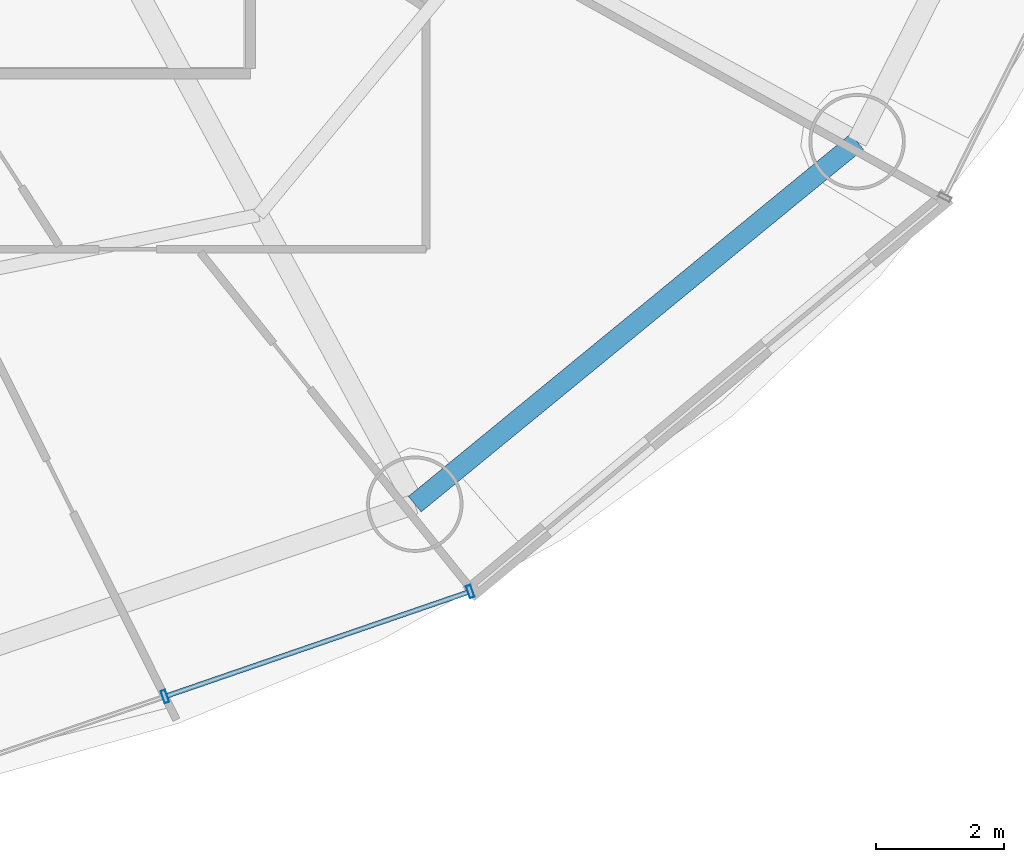
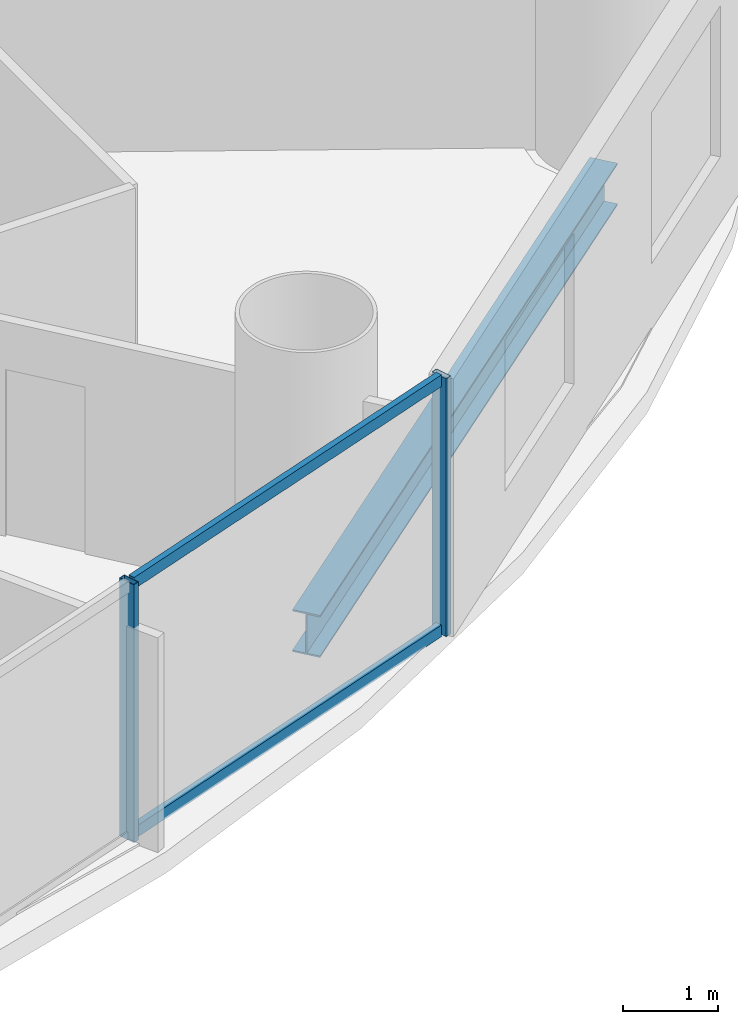
# One storey, part 11 of 29: 4 members, 1 beam, 1 element without a shape of its own.
"""IFC4 building model written with IfcOpenShell, lengths in metres."""

from ifc_helpers import new_model, si_unit, direction, frame, origin, origin_2d, place, context, subcontext, project, spatial, hollow_rectangle, i_section, extrude, source, transform, mapped, material, material_profile, profile_set, type_object, element, aggregate, save


model = new_model("IFC4")

# Units and contexts
model_context = context("Model", 3, precision=1e-05, world=origin(), true_north=direction((-0.2419218956, 0.970295726276)))
body_context = subcontext(model_context, "Body", "Model", "MODEL_VIEW")
ifc_project = project(units=[si_unit("LENGTHUNIT", "METRE"), si_unit("AREAUNIT", "SQUARE_METRE"), si_unit("VOLUMEUNIT", "CUBIC_METRE"), si_unit("PLANEANGLEUNIT", "RADIAN"), si_unit("MASSUNIT", "GRAM", prefix="KILO")], contexts=[model_context])

# Site, building, storey
site_placement = place(None, origin())
site = spatial("IfcSite", under=ifc_project, at=site_placement, CompositionType="ELEMENT")
building_placement = place(site_placement, origin())
building = spatial("IfcBuilding", under=site, at=building_placement, Name="Cobrevalo Terracotta Tower", CompositionType="ELEMENT")
storey_placement = place(building_placement, frame((0.0, 0.0, 115.800048828125)))
storey = spatial("IfcBuildingStorey", under=building, at=storey_placement, Name="L30", CompositionType="ELEMENT", Elevation=115.800048828125)

# Beam
ifc_material_1 = material(Name="Steel S355", Category="steel")
ifc_material_profile_1 = material_profile(ifc_material_1, i_section(OverallWidth=0.31201171875, OverallDepth=0.54296875, WebThickness=0.0126953125, FlangeThickness=0.020263671875, at=origin_2d()), Name="W 530x150")
ifc_profile_set_1 = profile_set([ifc_material_profile_1], Name="Steel S355")
beam_type = type_object("IfcBeamType", Name="Structural Spandrel W 530x150 (Steel S355)", PredefinedType="SPANDREL", material=ifc_profile_set_1)
beam_placement = place(storey_placement, frame((51.861572265625, 9.79638671875, -0.546630859375), z_axis=(0.773400923541, 0.633917196064, 0.0), x_axis=(-0.633917196064, 0.773400923541, 0.0)))
element("IfcBeam", 1, at=beam_placement, inside=storey, type_object=beam_type, Name="L30 perimeter ring spandrel 14", PredefinedType="SPANDREL", context=body_context, shape_type="SweptSolid", body=[
    extrude(i_section(OverallWidth=0.31201171875, OverallDepth=0.54296875, WebThickness=0.0126953125, FlangeThickness=0.020263671875, at=origin_2d()), origin(), (0.0, 0.0, 1.0), 8.900390625),
])

# Curtain wall, members
ifc_material_2 = material(Name="Anodized aluminium", Category="aluminium")
curtain_wall_type = type_object("IfcCurtainWallType", Name="Lower-tower unitised acoustic low-E curtain wall CW-U1", PredefinedType="NOTDEFINED", material=ifc_material_2)
curtain_wall_placement = place(storey_placement, origin())
curtain_wall = element("IfcCurtainWall", 2, at=curtain_wall_placement, inside=storey, type_object=curtain_wall_type, Name="L30 curtain wall CW-L30-S13", PredefinedType="NOTDEFINED")
ifc_material_profile_2 = material_profile(ifc_material_2, hollow_rectangle(XDim=0.074951171875, YDim=0.199951171875, WallThickness=0.0048828125, at=origin_2d()), Name="CWM 75x200")
ifc_profile_set_2 = profile_set([ifc_material_profile_2], Name="Anodized aluminium")
member_type_1 = type_object("IfcMemberType", Name="Lower/mid tower unitised mullion 75x200", PredefinedType="MULLION", material=ifc_profile_set_2)
shared_shape_1 = source(origin(), body_context, "Body", "SweptSolid", [
    extrude(hollow_rectangle(XDim=0.074951171875, YDim=0.199951171875, WallThickness=0.0048828125, at=origin_2d()), origin(), (0.0, 0.0, 1.0), 3.324951171875),
])
member_1_placement = place(storey_placement, frame((47.972412109375, 6.8017578125, 0.0), z_axis=(0.0, 0.0, 1.0), x_axis=(0.94559809868, 0.325337110968, 0.0)))
member_1 = element("IfcMember", 3, at=member_1_placement, type_object=member_type_1, Name="CW-L30-S13 vertical mullion 02", PredefinedType="MULLION", context=body_context, shape_type="MappedRepresentation", body=[
    mapped(shared_shape_1, transform((0.0, 0.0, 0.0), scale=1.0)),
])
member_2_placement = place(storey_placement, frame((52.7236328125, 8.4365234375, 0.0), z_axis=(0.0, 0.0, 1.0), x_axis=(0.94559809868, 0.325337110968, 0.0)))
member_2 = element("IfcMember", 4, at=member_2_placement, type_object=member_type_1, Name="CW-L30-S13 vertical mullion 03", PredefinedType="MULLION", context=body_context, shape_type="MappedRepresentation", body=[
    mapped(shared_shape_1, transform((0.0, 0.0, 0.0), scale=1.0)),
])
ifc_material_profile_3 = material_profile(ifc_material_2, hollow_rectangle(XDim=0.074951171875, YDim=0.14990234375, WallThickness=0.00439453125, at=origin_2d()), Name="CWT 75x150")
ifc_profile_set_3 = profile_set([ifc_material_profile_3], Name="Anodized aluminium")
member_type_2 = type_object("IfcMemberType", Name="Tower unitised aluminium transom 75x150", PredefinedType="USERDEFINED", material=ifc_profile_set_3)
shared_shape_2 = source(origin(), body_context, "Body", "SweptSolid", [
    extrude(hollow_rectangle(XDim=0.074951171875, YDim=0.14990234375, WallThickness=0.00439453125, at=origin_2d()), origin(), (0.0, 0.0, 1.0), 4.944580078125),
])
member_3_placement = place(storey_placement, frame((48.01025390625, 6.814697265625, 0.050048828125), z_axis=(0.945597859971, 0.32533780478, 0.0), x_axis=(-0.32533780478, 0.945597859971, 0.0)))
member_3 = element("IfcMember", 5, at=member_3_placement, type_object=member_type_2, Name="CW-L30-S13 transom B02-T1", ObjectType="TRANSOM", PredefinedType="USERDEFINED", context=body_context, shape_type="MappedRepresentation", body=[
    mapped(shared_shape_2, transform((0.0, 0.0, 0.0), scale=1.0)),
])
member_4_placement = place(storey_placement, frame((48.01025390625, 6.814697265625, 3.27490234375), z_axis=(0.945597859971, 0.32533780478, 0.0), x_axis=(-0.32533780478, 0.945597859971, 0.0)))
member_4 = element("IfcMember", 6, at=member_4_placement, type_object=member_type_2, Name="CW-L30-S13 transom B02-T2", ObjectType="TRANSOM", PredefinedType="USERDEFINED", context=body_context, shape_type="MappedRepresentation", body=[
    mapped(shared_shape_2, transform((0.0, 0.0, 0.0), scale=1.0)),
])
aggregate(curtain_wall, [member_1, member_2, member_3, member_4])

save(model, "model.ifc")
